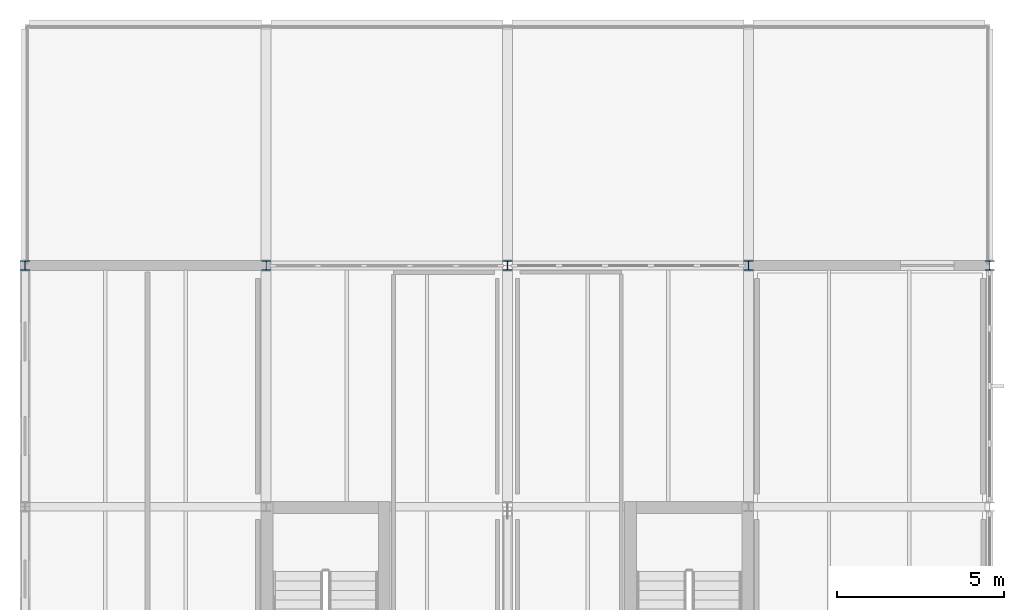
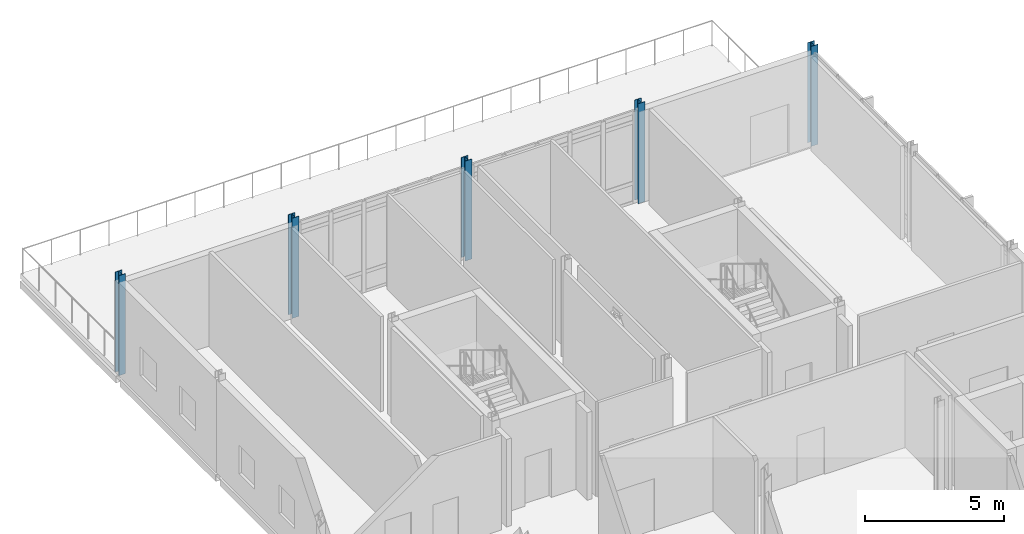
# One storey, part 2 of 12: 5 columns.
"""IFC4 building model written with IfcOpenShell, lengths in metres."""

from ifc_helpers import new_model, si_unit, direction, frame, origin, origin_2d, place, context, subcontext, project, spatial, i_section, extrude, material, material_profile, profile_set, type_object, element, save


model = new_model("IFC4")

# Units and contexts
model_context = context("Model", 3, precision=1e-05, world=origin(), true_north=direction((0.0, 1.0)))
body_context = subcontext(model_context, "Body", "Model", "MODEL_VIEW")
ifc_project = project(units=[si_unit("LENGTHUNIT", "METRE"), si_unit("AREAUNIT", "SQUARE_METRE"), si_unit("VOLUMEUNIT", "CUBIC_METRE"), si_unit("PLANEANGLEUNIT", "RADIAN"), si_unit("MASSUNIT", "GRAM", prefix="KILO")], contexts=[model_context])

# Site, building, storey
site_placement = place(None, origin())
site = spatial("IfcSite", under=ifc_project, at=site_placement, CompositionType="ELEMENT")
building_placement = place(site_placement, origin())
building = spatial("IfcBuilding", under=site, at=building_placement, Name="Zarrinpeak Specialist Clinic", CompositionType="ELEMENT")
storey_placement = place(building_placement, frame((0.0, 0.0, 27.199951171875)))
storey = spatial("IfcBuildingStorey", under=building, at=storey_placement, Name="L06", CompositionType="ELEMENT", Elevation=27.199951171875)

# Columns
ifc_material = material(Name="Steel S355", Category="steel")
ifc_material_profile = material_profile(ifc_material, i_section(OverallWidth=0.280029296875, OverallDepth=0.280029296875, WebThickness=0.010498046875, FlangeThickness=0.01806640625, FilletRadius=0.02392578125, at=origin_2d()), Name="HEB 280")
ifc_profile_set = profile_set([ifc_material_profile], Name="Steel S355")
column_type = type_object("IfcColumnType", Name="COL-HEB280", PredefinedType="COLUMN", material=ifc_profile_set)
for number, where, z_axis, x_axis, name in (
    (1, (0.0, 36.0, 0.0), (0.0, 0.0, 1.0), (1.0, 0.0, 0.0), "L06 Structural Column COL-L06-004"),
    (2, (7.199951171875, 36.0, 0.0), (0.0, 0.0, 1.0), (1.0, 0.0, 0.0), "L06 Structural Column COL-L06-010"),
    (3, (14.39990234375, 36.0, 0.0), (0.0, 0.0, 1.0), (1.0, 0.0, 0.0), "L06 Structural Column COL-L06-016"),
    (4, (21.60009765625, 36.0, 0.0), (0.0, 0.0, 1.0), (1.0, 0.0, 0.0), "L06 Structural Column COL-L06-022"),
    (5, (28.800048828125, 36.0, 0.0), (0.0, 0.0, 1.0), (1.0, 0.0, 0.0), "L06 Structural Column COL-L06-026"),
):
    element("IfcColumn", number, at=place(storey_placement, frame(where, z_axis=z_axis, x_axis=x_axis)), inside=storey, type_object=column_type, Name=name, PredefinedType="COLUMN", context=body_context, shape_type="SweptSolid", body=[
        extrude(i_section(OverallWidth=0.280029296875, OverallDepth=0.280029296875, WebThickness=0.010498046875, FlangeThickness=0.01806640625, FilletRadius=0.02392578125, at=origin_2d()), origin(), (0.0, 0.0, 1.0), 4.400146484375),
    ])

save(model, "model.ifc")
